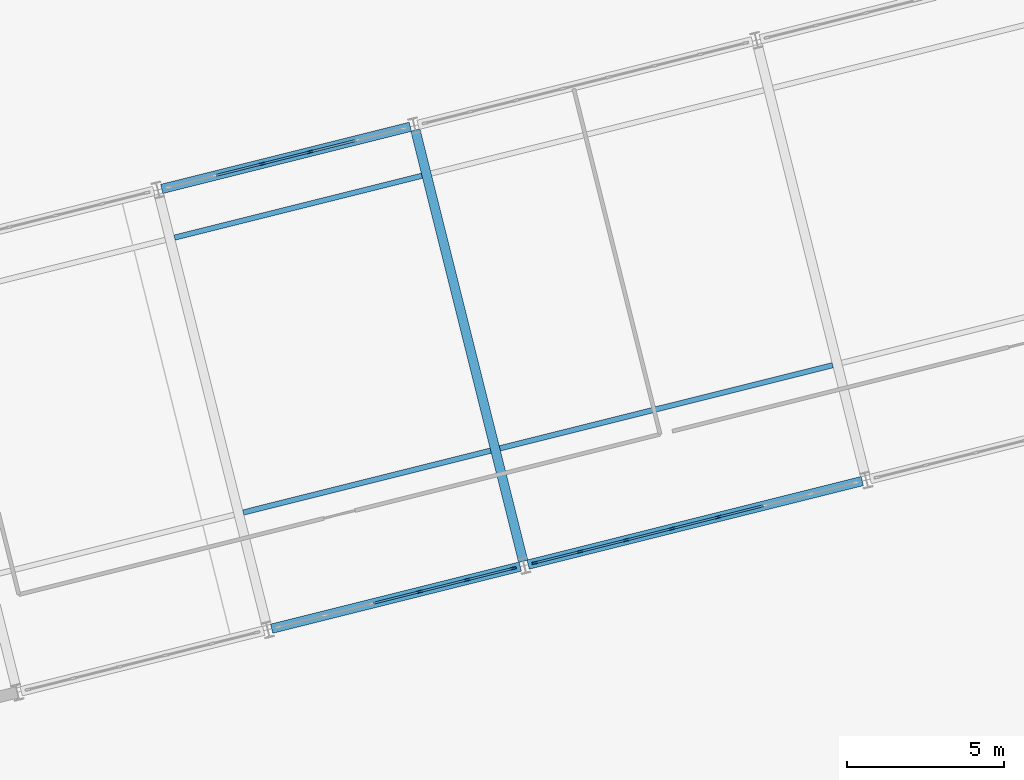
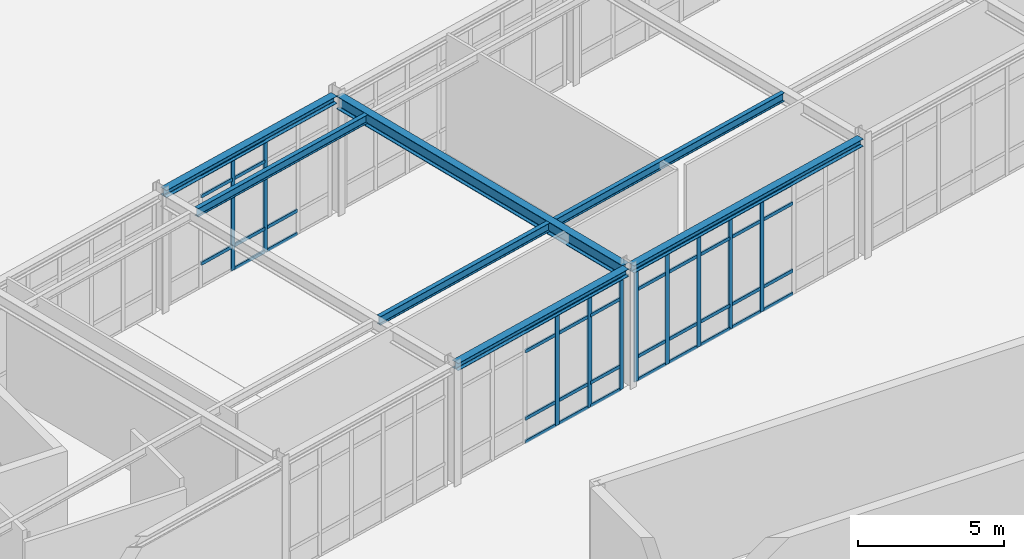
# One storey, part 27 of 109: 51 members, 7 beams, 3 elements without a shape of their own.
"""IFC4 building model written with IfcOpenShell, lengths in metres."""

from ifc_helpers import new_model, si_unit, direction, frame, origin, origin_2d, place, context, subcontext, project, spatial, rectangle, i_section, extrude, material, layer, layer_set, material_profile, profile_set, type_object, element, aggregate, save


model = new_model("IFC4")

# Units and contexts
model_context = context("Model", 3, precision=1e-05, world=origin(), true_north=direction((0.0, 1.0)))
body_context = subcontext(model_context, "Body", "Model", "MODEL_VIEW")
ifc_project = project(units=[si_unit("LENGTHUNIT", "METRE"), si_unit("AREAUNIT", "SQUARE_METRE"), si_unit("VOLUMEUNIT", "CUBIC_METRE"), si_unit("PLANEANGLEUNIT", "RADIAN"), si_unit("MASSUNIT", "GRAM", prefix="KILO")], contexts=[model_context])

# Site, building, storey
site_placement = place(None, origin())
site = spatial("IfcSite", under=ifc_project, at=site_placement, CompositionType="ELEMENT")
building_placement = place(site_placement, origin())
building = spatial("IfcBuilding", under=site, at=building_placement, Name="Nordkorset Police Headquarters", CompositionType="ELEMENT")
storey_placement = place(building_placement, origin())
storey = spatial("IfcBuildingStorey", under=building, at=storey_placement, Name="L00", CompositionType="ELEMENT", Elevation=0.0)

# Beams
ifc_material_1 = material(Name="Steel S355J2", Category="steel")
ifc_material_profile_1 = material_profile(ifc_material_1, i_section(OverallWidth=0.169921875, OverallDepth=0.360107421875, WebThickness=0.008056640625, FlangeThickness=0.0126953125, FilletRadius=0.01806640625, at=origin_2d()), Name="IPE 360")
ifc_profile_set_1 = profile_set([ifc_material_profile_1], Name="Steel S355J2")
beam_type_1 = type_object("IfcBeamType", Name="Beam_IPE_360", PredefinedType="BEAM", material=ifc_profile_set_1)
for number, where, z_axis, x_axis, name in (
    (1, (42.61474609375, 50.670654296875, 4.820068359375), (0.970140727133, 0.242542716974, 0.0), (-0.242542716974, 0.970140727133, 0.0), "Splayed Wing Secondary Beam L00 2-1"),
    (2, (40.431884765625, 59.40185546875, 4.820068359375), (0.970140727133, 0.242542716974, 0.0), (-0.242542716974, 0.970140727133, 0.0), "Splayed Wing Secondary Beam L00 2-2"),
):
    element("IfcBeam", number, at=place(storey_placement, frame(where, z_axis=z_axis, x_axis=x_axis)), inside=storey, type_object=beam_type_1, Name=name, PredefinedType="BEAM", context=body_context, shape_type="SweptSolid", body=[
        extrude(i_section(OverallWidth=0.169921875, OverallDepth=0.360107421875, WebThickness=0.008056640625, FlangeThickness=0.0126953125, FilletRadius=0.01806640625, at=origin_2d()), origin(), (0.0, 0.0, 1.0), 8.10009765625),
    ])
beam_1_placement = place(storey_placement, frame((50.763916015625, 52.7080078125, 4.820068359375), z_axis=(0.970145135142, 0.242525084807, 0.0), x_axis=(-0.242525084807, 0.970145135142, 0.0)))
element("IfcBeam", 3, at=beam_1_placement, inside=storey, type_object=beam_type_1, Name="Splayed Wing Secondary Beam L00 3-1", PredefinedType="BEAM", context=body_context, shape_type="SweptSolid", body=[
    extrude(i_section(OverallWidth=0.169921875, OverallDepth=0.360107421875, WebThickness=0.008056640625, FlangeThickness=0.0126953125, FilletRadius=0.01806640625, at=origin_2d()), origin(), (0.0, 0.0, 1.0), 10.900146484375),
])

# Curtain wall, members
ifc_material_2 = material(Name="Aluminium alloy AW-6060", Category="aluminium")
ifc_layer_1 = layer(ifc_material_2, 0.179931640625, Name="Aluminium alloy AW-6060")
ifc_layer_set_1 = layer_set([ifc_layer_1], Name="Aluminium alloy AW-6060")
curtain_wall_type_1 = type_object("IfcCurtainWallType", Name="CW_Unit_776x467", PredefinedType="USERDEFINED", material=ifc_layer_set_1)
curtain_wall_1_placement = place(storey_placement, origin())
curtain_wall_1 = element("IfcCurtainWall", 4, at=curtain_wall_1_placement, inside=storey, type_object=curtain_wall_type_1, Name="Unitised Curtain Wall L00 V4S-2", ObjectType="UNITISED CURTAIN WALL", PredefinedType="USERDEFINED")
ifc_material_3 = material(Name="Aluminium alloy AW-6060", Category="aluminium")
ifc_material_profile_2 = material_profile(ifc_material_3, rectangle(XDim=0.06494140625, YDim=0.179931640625, at=origin_2d()), Name="ALU MULL 65x180")
ifc_profile_set_2 = profile_set([ifc_material_profile_2], Name="Aluminium alloy AW-6060")
member_type_1 = type_object("IfcMemberType", Name="CW_Mullion_65x180", PredefinedType="MULLION", material=ifc_profile_set_2)
member_1_placement = place(storey_placement, frame((48.21826171875, 48.154541015625, 0.0), z_axis=(0.0, 0.0, 1.0), x_axis=(-0.24253471539, 0.970142727556, 0.0)))
member_1 = element("IfcMember", 5, at=member_1_placement, type_object=member_type_1, Name="CW-99 mullion 4", PredefinedType="MULLION", context=body_context, shape_type="SweptSolid", body=[
    extrude(rectangle(XDim=0.06494140625, YDim=0.179931640625, at=origin_2d()), origin(), (0.0, 0.0, 1.0), 4.669921875),
])
member_2_placement = place(storey_placement, frame((49.723876953125, 48.531005859375, 0.0), z_axis=(0.0, 0.0, 1.0), x_axis=(-0.24253471539, 0.970142727556, 0.0)))
member_2 = element("IfcMember", 6, at=member_2_placement, type_object=member_type_1, Name="CW-99 mullion 5", PredefinedType="MULLION", context=body_context, shape_type="SweptSolid", body=[
    extrude(rectangle(XDim=0.06494140625, YDim=0.179931640625, at=origin_2d()), origin(), (0.0, 0.0, 1.0), 4.669921875),
])
member_3_placement = place(storey_placement, frame((51.1982421875, 48.8994140625, 0.0), z_axis=(0.0, 0.0, 1.0), x_axis=(-0.24253471539, 0.970142727556, 0.0)))
member_3 = element("IfcMember", 7, at=member_3_placement, type_object=member_type_1, Name="CW-99 mullion 6", PredefinedType="MULLION", context=body_context, shape_type="SweptSolid", body=[
    extrude(rectangle(XDim=0.06494140625, YDim=0.179931640625, at=origin_2d()), origin(), (0.0, 0.0, 1.0), 4.669921875),
])

curtain_wall_2_placement = place(storey_placement, origin())
curtain_wall_2 = element("IfcCurtainWall", 8, at=curtain_wall_2_placement, inside=storey, type_object=curtain_wall_type_1, Name="Unitised Curtain Wall L00 V4N-2", ObjectType="UNITISED CURTAIN WALL", PredefinedType="USERDEFINED")
member_4_placement = place(storey_placement, frame((43.22021484375, 61.748291015625, 0.0), z_axis=(0.0, 0.0, 1.0), x_axis=(-0.242535928242, 0.970142424344, 0.0)))
member_4 = element("IfcMember", 9, at=member_4_placement, type_object=member_type_1, Name="CW-99 mullion 3", PredefinedType="MULLION", context=body_context, shape_type="SweptSolid", body=[
    extrude(rectangle(XDim=0.06494140625, YDim=0.179931640625, at=origin_2d()), origin(), (0.0, 0.0, 1.0), 4.669921875),
])
member_5_placement = place(storey_placement, frame((44.725830078125, 62.124755859375, 0.0), z_axis=(0.0, 0.0, 1.0), x_axis=(-0.242535928242, 0.970142424344, 0.0)))
member_5 = element("IfcMember", 10, at=member_5_placement, type_object=member_type_1, Name="CW-99 mullion 4", PredefinedType="MULLION", context=body_context, shape_type="SweptSolid", body=[
    extrude(rectangle(XDim=0.06494140625, YDim=0.179931640625, at=origin_2d()), origin(), (0.0, 0.0, 1.0), 4.669921875),
])

ifc_material_4 = material(Name="Aluminium alloy AW-6060", Category="aluminium")
ifc_layer_2 = layer(ifc_material_4, 0.179931640625, Name="Aluminium alloy AW-6060")
ifc_layer_set_2 = layer_set([ifc_layer_2], Name="Aluminium alloy AW-6060")
curtain_wall_type_2 = type_object("IfcCurtainWallType", Name="CW_Unit_1056x467", PredefinedType="USERDEFINED", material=ifc_layer_set_2)
curtain_wall_3_placement = place(storey_placement, origin())
curtain_wall_3 = element("IfcCurtainWall", 11, at=curtain_wall_3_placement, inside=storey, type_object=curtain_wall_type_2, Name="Unitised Curtain Wall L00 V4S-3", ObjectType="UNITISED CURTAIN WALL", PredefinedType="USERDEFINED")
member_6_placement = place(storey_placement, frame((51.882080078125, 49.070556640625, 0.0), z_axis=(0.0, 0.0, 1.0), x_axis=(-0.242535179399, 0.970142611554, 0.0)))
member_6 = element("IfcMember", 12, at=member_6_placement, type_object=member_type_1, Name="CW-18 mullion 1", PredefinedType="MULLION", context=body_context, shape_type="SweptSolid", body=[
    extrude(rectangle(XDim=0.06494140625, YDim=0.179931640625, at=origin_2d()), origin(), (0.0, 0.0, 1.0), 4.669921875),
])
member_7_placement = place(storey_placement, frame((53.31396484375, 49.428466796875, 0.0), z_axis=(0.0, 0.0, 1.0), x_axis=(-0.242535179399, 0.970142611554, 0.0)))
member_7 = element("IfcMember", 13, at=member_7_placement, type_object=member_type_1, Name="CW-18 mullion 2", PredefinedType="MULLION", context=body_context, shape_type="SweptSolid", body=[
    extrude(rectangle(XDim=0.06494140625, YDim=0.179931640625, at=origin_2d()), origin(), (0.0, 0.0, 1.0), 4.669921875),
])
member_8_placement = place(storey_placement, frame((54.777587890625, 49.79443359375, 0.0), z_axis=(0.0, 0.0, 1.0), x_axis=(-0.242535179399, 0.970142611554, 0.0)))
member_8 = element("IfcMember", 14, at=member_8_placement, type_object=member_type_1, Name="CW-18 mullion 3", PredefinedType="MULLION", context=body_context, shape_type="SweptSolid", body=[
    extrude(rectangle(XDim=0.06494140625, YDim=0.179931640625, at=origin_2d()), origin(), (0.0, 0.0, 1.0), 4.669921875),
])
member_9_placement = place(storey_placement, frame((56.2412109375, 50.160400390625, 0.0), z_axis=(0.0, 0.0, 1.0), x_axis=(-0.242535179399, 0.970142611554, 0.0)))
member_9 = element("IfcMember", 15, at=member_9_placement, type_object=member_type_1, Name="CW-18 mullion 4", PredefinedType="MULLION", context=body_context, shape_type="SweptSolid", body=[
    extrude(rectangle(XDim=0.06494140625, YDim=0.179931640625, at=origin_2d()), origin(), (0.0, 0.0, 1.0), 4.669921875),
])
member_10_placement = place(storey_placement, frame((57.70458984375, 50.526123046875, 0.0), z_axis=(0.0, 0.0, 1.0), x_axis=(-0.242535179399, 0.970142611554, 0.0)))
member_10 = element("IfcMember", 16, at=member_10_placement, type_object=member_type_1, Name="CW-18 mullion 5", PredefinedType="MULLION", context=body_context, shape_type="SweptSolid", body=[
    extrude(rectangle(XDim=0.06494140625, YDim=0.179931640625, at=origin_2d()), origin(), (0.0, 0.0, 1.0), 4.669921875),
])

# Member
ifc_material_5 = material(Name="Aluminium alloy AW-6060", Category="aluminium")
ifc_material_profile_3 = material_profile(ifc_material_5, rectangle(XDim=0.06494140625, YDim=0.139892578125, at=origin_2d()), Name="ALU TRAN 65x140")
ifc_profile_set_3 = profile_set([ifc_material_profile_3], Name="Aluminium alloy AW-6060")
member_type_2 = type_object("IfcMemberType", Name="CW_Transom_65x140", PredefinedType="USERDEFINED", material=ifc_profile_set_3)
member_11_placement = place(storey_placement, frame((46.744140625, 47.7861328125, 0.032470703125), z_axis=(0.970152157148, 0.242496993757, 0.0), x_axis=(-0.242496993757, 0.970152157148, 0.0)))
member_11 = element("IfcMember", 17, at=member_11_placement, type_object=member_type_2, Name="CW-99 transom 3.1", ObjectType="TRANSOM", PredefinedType="USERDEFINED", context=body_context, shape_type="SweptSolid", body=[
    extrude(rectangle(XDim=0.06494140625, YDim=0.139892578125, at=origin_2d()), origin(), (0.0, 0.0, 1.0), 1.487060546875),
])

member_12_placement = place(storey_placement, frame((46.744140625, 47.7861328125, 1.0), z_axis=(0.970152157148, 0.242496993757, 0.0), x_axis=(-0.242496993757, 0.970152157148, 0.0)))
member_12 = element("IfcMember", 18, at=member_12_placement, type_object=member_type_2, Name="CW-99 transom 3.2", ObjectType="TRANSOM", PredefinedType="USERDEFINED", context=body_context, shape_type="SweptSolid", body=[
    extrude(rectangle(XDim=0.06494140625, YDim=0.139892578125, at=origin_2d()), origin(), (0.0, 0.0, 1.0), 1.487060546875),
])

member_13_placement = place(storey_placement, frame((46.744140625, 47.7861328125, 3.820068359375), z_axis=(0.970152157148, 0.242496993757, 0.0), x_axis=(-0.242496993757, 0.970152157148, 0.0)))
member_13 = element("IfcMember", 19, at=member_13_placement, type_object=member_type_2, Name="CW-99 transom 3.3", ObjectType="TRANSOM", PredefinedType="USERDEFINED", context=body_context, shape_type="SweptSolid", body=[
    extrude(rectangle(XDim=0.06494140625, YDim=0.139892578125, at=origin_2d()), origin(), (0.0, 0.0, 1.0), 1.487060546875),
])

member_14_placement = place(storey_placement, frame((46.744140625, 47.7861328125, 4.637451171875), z_axis=(0.970152157148, 0.242496993757, 0.0), x_axis=(-0.242496993757, 0.970152157148, 0.0)))
member_14 = element("IfcMember", 20, at=member_14_placement, type_object=member_type_2, Name="CW-99 transom 3.4", ObjectType="TRANSOM", PredefinedType="USERDEFINED", context=body_context, shape_type="SweptSolid", body=[
    extrude(rectangle(XDim=0.06494140625, YDim=0.139892578125, at=origin_2d()), origin(), (0.0, 0.0, 1.0), 1.487060546875),
])

member_15_placement = place(storey_placement, frame((48.249755859375, 48.162353515625, 0.032470703125), z_axis=(0.970113521062, 0.242651511953, 0.0), x_axis=(-0.242651511953, 0.970113521062, 0.0)))
member_15 = element("IfcMember", 21, at=member_15_placement, type_object=member_type_2, Name="CW-99 transom 4.1", ObjectType="TRANSOM", PredefinedType="USERDEFINED", context=body_context, shape_type="SweptSolid", body=[
    extrude(rectangle(XDim=0.06494140625, YDim=0.139892578125, at=origin_2d()), origin(), (0.0, 0.0, 1.0), 1.487060546875),
])

member_16_placement = place(storey_placement, frame((48.249755859375, 48.162353515625, 1.0), z_axis=(0.970113521062, 0.242651511953, 0.0), x_axis=(-0.242651511953, 0.970113521062, 0.0)))
member_16 = element("IfcMember", 22, at=member_16_placement, type_object=member_type_2, Name="CW-99 transom 4.2", ObjectType="TRANSOM", PredefinedType="USERDEFINED", context=body_context, shape_type="SweptSolid", body=[
    extrude(rectangle(XDim=0.06494140625, YDim=0.139892578125, at=origin_2d()), origin(), (0.0, 0.0, 1.0), 1.487060546875),
])

member_17_placement = place(storey_placement, frame((48.249755859375, 48.162353515625, 3.820068359375), z_axis=(0.970113521062, 0.242651511953, 0.0), x_axis=(-0.242651511953, 0.970113521062, 0.0)))
member_17 = element("IfcMember", 23, at=member_17_placement, type_object=member_type_2, Name="CW-99 transom 4.3", ObjectType="TRANSOM", PredefinedType="USERDEFINED", context=body_context, shape_type="SweptSolid", body=[
    extrude(rectangle(XDim=0.06494140625, YDim=0.139892578125, at=origin_2d()), origin(), (0.0, 0.0, 1.0), 1.487060546875),
])

member_18_placement = place(storey_placement, frame((48.249755859375, 48.162353515625, 4.637451171875), z_axis=(0.970113521062, 0.242651511953, 0.0), x_axis=(-0.242651511953, 0.970113521062, 0.0)))
member_18 = element("IfcMember", 24, at=member_18_placement, type_object=member_type_2, Name="CW-99 transom 4.4", ObjectType="TRANSOM", PredefinedType="USERDEFINED", context=body_context, shape_type="SweptSolid", body=[
    extrude(rectangle(XDim=0.06494140625, YDim=0.139892578125, at=origin_2d()), origin(), (0.0, 0.0, 1.0), 1.487060546875),
])

member_19_placement = place(storey_placement, frame((49.755615234375, 48.538818359375, 0.032470703125), z_axis=(0.970132624514, 0.242575124143, 0.0), x_axis=(-0.242575124143, 0.970132624514, 0.0)))
member_19 = element("IfcMember", 25, at=member_19_placement, type_object=member_type_2, Name="CW-99 transom 5.1", ObjectType="TRANSOM", PredefinedType="USERDEFINED", context=body_context, shape_type="SweptSolid", body=[
    extrude(rectangle(XDim=0.06494140625, YDim=0.139892578125, at=origin_2d()), origin(), (0.0, 0.0, 1.0), 1.454345703125),
])

member_20_placement = place(storey_placement, frame((49.755615234375, 48.538818359375, 1.0), z_axis=(0.970132624514, 0.242575124143, 0.0), x_axis=(-0.242575124143, 0.970132624514, 0.0)))
member_20 = element("IfcMember", 26, at=member_20_placement, type_object=member_type_2, Name="CW-99 transom 5.2", ObjectType="TRANSOM", PredefinedType="USERDEFINED", context=body_context, shape_type="SweptSolid", body=[
    extrude(rectangle(XDim=0.06494140625, YDim=0.139892578125, at=origin_2d()), origin(), (0.0, 0.0, 1.0), 1.454345703125),
])

member_21_placement = place(storey_placement, frame((49.755615234375, 48.538818359375, 3.820068359375), z_axis=(0.970132624514, 0.242575124143, 0.0), x_axis=(-0.242575124143, 0.970132624514, 0.0)))
member_21 = element("IfcMember", 27, at=member_21_placement, type_object=member_type_2, Name="CW-99 transom 5.3", ObjectType="TRANSOM", PredefinedType="USERDEFINED", context=body_context, shape_type="SweptSolid", body=[
    extrude(rectangle(XDim=0.06494140625, YDim=0.139892578125, at=origin_2d()), origin(), (0.0, 0.0, 1.0), 1.454345703125),
])

member_22_placement = place(storey_placement, frame((49.755615234375, 48.538818359375, 4.637451171875), z_axis=(0.970132624514, 0.242575124143, 0.0), x_axis=(-0.242575124143, 0.970132624514, 0.0)))
member_22 = element("IfcMember", 28, at=member_22_placement, type_object=member_type_2, Name="CW-99 transom 5.4", ObjectType="TRANSOM", PredefinedType="USERDEFINED", context=body_context, shape_type="SweptSolid", body=[
    extrude(rectangle(XDim=0.06494140625, YDim=0.139892578125, at=origin_2d()), origin(), (0.0, 0.0, 1.0), 1.454345703125),
])

aggregate(curtain_wall_1, [member_1, member_2, member_3, member_11, member_12, member_13, member_14, member_15, member_16, member_17, member_18, member_19, member_20, member_21, member_22])

member_23_placement = place(storey_placement, frame((41.74609375, 61.379638671875, 1.0), z_axis=(0.970152157148, 0.242496993757, 0.0), x_axis=(-0.242496993757, 0.970152157148, 0.0)))
member_23 = element("IfcMember", 29, at=member_23_placement, type_object=member_type_2, Name="CW-99 transom 2.2", ObjectType="TRANSOM", PredefinedType="USERDEFINED", context=body_context, shape_type="SweptSolid", body=[
    extrude(rectangle(XDim=0.06494140625, YDim=0.139892578125, at=origin_2d()), origin(), (0.0, 0.0, 1.0), 1.487060546875),
])

member_24_placement = place(storey_placement, frame((41.74609375, 61.379638671875, 3.820068359375), z_axis=(0.970152157148, 0.242496993757, 0.0), x_axis=(-0.242496993757, 0.970152157148, 0.0)))
member_24 = element("IfcMember", 30, at=member_24_placement, type_object=member_type_2, Name="CW-99 transom 2.3", ObjectType="TRANSOM", PredefinedType="USERDEFINED", context=body_context, shape_type="SweptSolid", body=[
    extrude(rectangle(XDim=0.06494140625, YDim=0.139892578125, at=origin_2d()), origin(), (0.0, 0.0, 1.0), 1.487060546875),
])

member_25_placement = place(storey_placement, frame((41.74609375, 61.379638671875, 4.637451171875), z_axis=(0.970152157148, 0.242496993757, 0.0), x_axis=(-0.242496993757, 0.970152157148, 0.0)))
member_25 = element("IfcMember", 31, at=member_25_placement, type_object=member_type_2, Name="CW-99 transom 2.4", ObjectType="TRANSOM", PredefinedType="USERDEFINED", context=body_context, shape_type="SweptSolid", body=[
    extrude(rectangle(XDim=0.06494140625, YDim=0.139892578125, at=origin_2d()), origin(), (0.0, 0.0, 1.0), 1.487060546875),
])

member_26_placement = place(storey_placement, frame((43.251708984375, 61.756103515625, 0.032470703125), z_axis=(0.970152157148, 0.242496993757, 0.0), x_axis=(-0.242496993757, 0.970152157148, 0.0)))
member_26 = element("IfcMember", 32, at=member_26_placement, type_object=member_type_2, Name="CW-99 transom 3.1", ObjectType="TRANSOM", PredefinedType="USERDEFINED", context=body_context, shape_type="SweptSolid", body=[
    extrude(rectangle(XDim=0.06494140625, YDim=0.139892578125, at=origin_2d()), origin(), (0.0, 0.0, 1.0), 1.487060546875),
])

member_27_placement = place(storey_placement, frame((43.251708984375, 61.756103515625, 1.0), z_axis=(0.970152157148, 0.242496993757, 0.0), x_axis=(-0.242496993757, 0.970152157148, 0.0)))
member_27 = element("IfcMember", 33, at=member_27_placement, type_object=member_type_2, Name="CW-99 transom 3.2", ObjectType="TRANSOM", PredefinedType="USERDEFINED", context=body_context, shape_type="SweptSolid", body=[
    extrude(rectangle(XDim=0.06494140625, YDim=0.139892578125, at=origin_2d()), origin(), (0.0, 0.0, 1.0), 1.487060546875),
])

member_28_placement = place(storey_placement, frame((43.251708984375, 61.756103515625, 3.820068359375), z_axis=(0.970152157148, 0.242496993757, 0.0), x_axis=(-0.242496993757, 0.970152157148, 0.0)))
member_28 = element("IfcMember", 34, at=member_28_placement, type_object=member_type_2, Name="CW-99 transom 3.3", ObjectType="TRANSOM", PredefinedType="USERDEFINED", context=body_context, shape_type="SweptSolid", body=[
    extrude(rectangle(XDim=0.06494140625, YDim=0.139892578125, at=origin_2d()), origin(), (0.0, 0.0, 1.0), 1.487060546875),
])

member_29_placement = place(storey_placement, frame((43.251708984375, 61.756103515625, 4.637451171875), z_axis=(0.970152157148, 0.242496993757, 0.0), x_axis=(-0.242496993757, 0.970152157148, 0.0)))
member_29 = element("IfcMember", 35, at=member_29_placement, type_object=member_type_2, Name="CW-99 transom 3.4", ObjectType="TRANSOM", PredefinedType="USERDEFINED", context=body_context, shape_type="SweptSolid", body=[
    extrude(rectangle(XDim=0.06494140625, YDim=0.139892578125, at=origin_2d()), origin(), (0.0, 0.0, 1.0), 1.487060546875),
])

member_30_placement = place(storey_placement, frame((44.75732421875, 62.132568359375, 0.032470703125), z_axis=(0.970152157148, 0.242496993757, 0.0), x_axis=(-0.242496993757, 0.970152157148, 0.0)))
member_30 = element("IfcMember", 36, at=member_30_placement, type_object=member_type_2, Name="CW-99 transom 4.1", ObjectType="TRANSOM", PredefinedType="USERDEFINED", context=body_context, shape_type="SweptSolid", body=[
    extrude(rectangle(XDim=0.06494140625, YDim=0.139892578125, at=origin_2d()), origin(), (0.0, 0.0, 1.0), 1.487060546875),
])

member_31_placement = place(storey_placement, frame((44.75732421875, 62.132568359375, 1.0), z_axis=(0.970152157148, 0.242496993757, 0.0), x_axis=(-0.242496993757, 0.970152157148, 0.0)))
member_31 = element("IfcMember", 37, at=member_31_placement, type_object=member_type_2, Name="CW-99 transom 4.2", ObjectType="TRANSOM", PredefinedType="USERDEFINED", context=body_context, shape_type="SweptSolid", body=[
    extrude(rectangle(XDim=0.06494140625, YDim=0.139892578125, at=origin_2d()), origin(), (0.0, 0.0, 1.0), 1.487060546875),
])

aggregate(curtain_wall_2, [member_4, member_5, member_23, member_24, member_25, member_26, member_27, member_28, member_29, member_30, member_31])

member_32_placement = place(storey_placement, frame((51.91357421875, 49.078369140625, 0.032470703125), z_axis=(0.970132321548, 0.242576335796, 0.0), x_axis=(-0.242576335796, 0.970132321548, 0.0)))
member_32 = element("IfcMember", 38, at=member_32_placement, type_object=member_type_2, Name="CW-18 transom 1.1", ObjectType="TRANSOM", PredefinedType="USERDEFINED", context=body_context, shape_type="SweptSolid", body=[
    extrude(rectangle(XDim=0.06494140625, YDim=0.139892578125, at=origin_2d()), origin(), (0.0, 0.0, 1.0), 1.4111328125),
])

member_33_placement = place(storey_placement, frame((51.91357421875, 49.078369140625, 1.0), z_axis=(0.970132321548, 0.242576335796, 0.0), x_axis=(-0.242576335796, 0.970132321548, 0.0)))
member_33 = element("IfcMember", 39, at=member_33_placement, type_object=member_type_2, Name="CW-18 transom 1.2", ObjectType="TRANSOM", PredefinedType="USERDEFINED", context=body_context, shape_type="SweptSolid", body=[
    extrude(rectangle(XDim=0.06494140625, YDim=0.139892578125, at=origin_2d()), origin(), (0.0, 0.0, 1.0), 1.4111328125),
])

member_34_placement = place(storey_placement, frame((51.91357421875, 49.078369140625, 3.820068359375), z_axis=(0.970132321548, 0.242576335796, 0.0), x_axis=(-0.242576335796, 0.970132321548, 0.0)))
member_34 = element("IfcMember", 40, at=member_34_placement, type_object=member_type_2, Name="CW-18 transom 1.3", ObjectType="TRANSOM", PredefinedType="USERDEFINED", context=body_context, shape_type="SweptSolid", body=[
    extrude(rectangle(XDim=0.06494140625, YDim=0.139892578125, at=origin_2d()), origin(), (0.0, 0.0, 1.0), 1.4111328125),
])

member_35_placement = place(storey_placement, frame((51.91357421875, 49.078369140625, 4.637451171875), z_axis=(0.970132321548, 0.242576335796, 0.0), x_axis=(-0.242576335796, 0.970132321548, 0.0)))
member_35 = element("IfcMember", 41, at=member_35_placement, type_object=member_type_2, Name="CW-18 transom 1.4", ObjectType="TRANSOM", PredefinedType="USERDEFINED", context=body_context, shape_type="SweptSolid", body=[
    extrude(rectangle(XDim=0.06494140625, YDim=0.139892578125, at=origin_2d()), origin(), (0.0, 0.0, 1.0), 1.4111328125),
])

member_36_placement = place(storey_placement, frame((53.345703125, 49.4365234375, 0.032470703125), z_axis=(0.970142500145, 0.242535625036, 0.0), x_axis=(-0.242535625036, 0.970142500145, 0.0)))
member_36 = element("IfcMember", 42, at=member_36_placement, type_object=member_type_2, Name="CW-18 transom 2.1", ObjectType="TRANSOM", PredefinedType="USERDEFINED", context=body_context, shape_type="SweptSolid", body=[
    extrude(rectangle(XDim=0.06494140625, YDim=0.139892578125, at=origin_2d()), origin(), (0.0, 0.0, 1.0), 1.443603515625),
])

member_37_placement = place(storey_placement, frame((53.345703125, 49.4365234375, 1.0), z_axis=(0.970142500145, 0.242535625036, 0.0), x_axis=(-0.242535625036, 0.970142500145, 0.0)))
member_37 = element("IfcMember", 43, at=member_37_placement, type_object=member_type_2, Name="CW-18 transom 2.2", ObjectType="TRANSOM", PredefinedType="USERDEFINED", context=body_context, shape_type="SweptSolid", body=[
    extrude(rectangle(XDim=0.06494140625, YDim=0.139892578125, at=origin_2d()), origin(), (0.0, 0.0, 1.0), 1.443603515625),
])

member_38_placement = place(storey_placement, frame((53.345703125, 49.4365234375, 3.820068359375), z_axis=(0.970142500145, 0.242535625036, 0.0), x_axis=(-0.242535625036, 0.970142500145, 0.0)))
member_38 = element("IfcMember", 44, at=member_38_placement, type_object=member_type_2, Name="CW-18 transom 2.3", ObjectType="TRANSOM", PredefinedType="USERDEFINED", context=body_context, shape_type="SweptSolid", body=[
    extrude(rectangle(XDim=0.06494140625, YDim=0.139892578125, at=origin_2d()), origin(), (0.0, 0.0, 1.0), 1.443603515625),
])

member_39_placement = place(storey_placement, frame((53.345703125, 49.4365234375, 4.637451171875), z_axis=(0.970142500145, 0.242535625036, 0.0), x_axis=(-0.242535625036, 0.970142500145, 0.0)))
member_39 = element("IfcMember", 45, at=member_39_placement, type_object=member_type_2, Name="CW-18 transom 2.4", ObjectType="TRANSOM", PredefinedType="USERDEFINED", context=body_context, shape_type="SweptSolid", body=[
    extrude(rectangle(XDim=0.06494140625, YDim=0.139892578125, at=origin_2d()), origin(), (0.0, 0.0, 1.0), 1.443603515625),
])

member_40_placement = place(storey_placement, frame((54.80908203125, 49.80224609375, 0.032470703125), z_axis=(0.970152446652, 0.242495835541, 0.0), x_axis=(-0.242495835541, 0.970152446652, 0.0)))
member_40 = element("IfcMember", 46, at=member_40_placement, type_object=member_type_2, Name="CW-18 transom 3.1", ObjectType="TRANSOM", PredefinedType="USERDEFINED", context=body_context, shape_type="SweptSolid", body=[
    extrude(rectangle(XDim=0.06494140625, YDim=0.139892578125, at=origin_2d()), origin(), (0.0, 0.0, 1.0), 1.44384765625),
])

member_41_placement = place(storey_placement, frame((54.80908203125, 49.80224609375, 1.0), z_axis=(0.970152446652, 0.242495835541, 0.0), x_axis=(-0.242495835541, 0.970152446652, 0.0)))
member_41 = element("IfcMember", 47, at=member_41_placement, type_object=member_type_2, Name="CW-18 transom 3.2", ObjectType="TRANSOM", PredefinedType="USERDEFINED", context=body_context, shape_type="SweptSolid", body=[
    extrude(rectangle(XDim=0.06494140625, YDim=0.139892578125, at=origin_2d()), origin(), (0.0, 0.0, 1.0), 1.44384765625),
])

member_42_placement = place(storey_placement, frame((54.80908203125, 49.80224609375, 3.820068359375), z_axis=(0.970152446652, 0.242495835541, 0.0), x_axis=(-0.242495835541, 0.970152446652, 0.0)))
member_42 = element("IfcMember", 48, at=member_42_placement, type_object=member_type_2, Name="CW-18 transom 3.3", ObjectType="TRANSOM", PredefinedType="USERDEFINED", context=body_context, shape_type="SweptSolid", body=[
    extrude(rectangle(XDim=0.06494140625, YDim=0.139892578125, at=origin_2d()), origin(), (0.0, 0.0, 1.0), 1.44384765625),
])

member_43_placement = place(storey_placement, frame((54.80908203125, 49.80224609375, 4.637451171875), z_axis=(0.970152446652, 0.242495835541, 0.0), x_axis=(-0.242495835541, 0.970152446652, 0.0)))
member_43 = element("IfcMember", 49, at=member_43_placement, type_object=member_type_2, Name="CW-18 transom 3.4", ObjectType="TRANSOM", PredefinedType="USERDEFINED", context=body_context, shape_type="SweptSolid", body=[
    extrude(rectangle(XDim=0.06494140625, YDim=0.139892578125, at=origin_2d()), origin(), (0.0, 0.0, 1.0), 1.44384765625),
])

member_44_placement = place(storey_placement, frame((56.272705078125, 50.168212890625, 0.032470703125), z_axis=(0.970142500145, 0.242535625036, 0.0), x_axis=(-0.242535625036, 0.970142500145, 0.0)))
member_44 = element("IfcMember", 50, at=member_44_placement, type_object=member_type_2, Name="CW-18 transom 4.1", ObjectType="TRANSOM", PredefinedType="USERDEFINED", context=body_context, shape_type="SweptSolid", body=[
    extrude(rectangle(XDim=0.06494140625, YDim=0.139892578125, at=origin_2d()), origin(), (0.0, 0.0, 1.0), 1.443603515625),
])

member_45_placement = place(storey_placement, frame((56.272705078125, 50.168212890625, 1.0), z_axis=(0.970142500145, 0.242535625036, 0.0), x_axis=(-0.242535625036, 0.970142500145, 0.0)))
member_45 = element("IfcMember", 51, at=member_45_placement, type_object=member_type_2, Name="CW-18 transom 4.2", ObjectType="TRANSOM", PredefinedType="USERDEFINED", context=body_context, shape_type="SweptSolid", body=[
    extrude(rectangle(XDim=0.06494140625, YDim=0.139892578125, at=origin_2d()), origin(), (0.0, 0.0, 1.0), 1.443603515625),
])

member_46_placement = place(storey_placement, frame((56.272705078125, 50.168212890625, 3.820068359375), z_axis=(0.970142500145, 0.242535625036, 0.0), x_axis=(-0.242535625036, 0.970142500145, 0.0)))
member_46 = element("IfcMember", 52, at=member_46_placement, type_object=member_type_2, Name="CW-18 transom 4.3", ObjectType="TRANSOM", PredefinedType="USERDEFINED", context=body_context, shape_type="SweptSolid", body=[
    extrude(rectangle(XDim=0.06494140625, YDim=0.139892578125, at=origin_2d()), origin(), (0.0, 0.0, 1.0), 1.443603515625),
])

member_47_placement = place(storey_placement, frame((56.272705078125, 50.168212890625, 4.637451171875), z_axis=(0.970142500145, 0.242535625036, 0.0), x_axis=(-0.242535625036, 0.970142500145, 0.0)))
member_47 = element("IfcMember", 53, at=member_47_placement, type_object=member_type_2, Name="CW-18 transom 4.4", ObjectType="TRANSOM", PredefinedType="USERDEFINED", context=body_context, shape_type="SweptSolid", body=[
    extrude(rectangle(XDim=0.06494140625, YDim=0.139892578125, at=origin_2d()), origin(), (0.0, 0.0, 1.0), 1.443603515625),
])

member_48_placement = place(storey_placement, frame((57.736083984375, 50.533935546875, 0.032470703125), z_axis=(0.970112652058, 0.242654986178, 0.0), x_axis=(-0.242654986178, 0.970112652058, 0.0)))
member_48 = element("IfcMember", 54, at=member_48_placement, type_object=member_type_2, Name="CW-18 transom 5.1", ObjectType="TRANSOM", PredefinedType="USERDEFINED", context=body_context, shape_type="SweptSolid", body=[
    extrude(rectangle(XDim=0.06494140625, YDim=0.139892578125, at=origin_2d()), origin(), (0.0, 0.0, 1.0), 1.44384765625),
])

member_49_placement = place(storey_placement, frame((57.736083984375, 50.533935546875, 1.0), z_axis=(0.970112652058, 0.242654986178, 0.0), x_axis=(-0.242654986178, 0.970112652058, 0.0)))
member_49 = element("IfcMember", 55, at=member_49_placement, type_object=member_type_2, Name="CW-18 transom 5.2", ObjectType="TRANSOM", PredefinedType="USERDEFINED", context=body_context, shape_type="SweptSolid", body=[
    extrude(rectangle(XDim=0.06494140625, YDim=0.139892578125, at=origin_2d()), origin(), (0.0, 0.0, 1.0), 1.44384765625),
])

member_50_placement = place(storey_placement, frame((57.736083984375, 50.533935546875, 3.820068359375), z_axis=(0.970112652058, 0.242654986178, 0.0), x_axis=(-0.242654986178, 0.970112652058, 0.0)))
member_50 = element("IfcMember", 56, at=member_50_placement, type_object=member_type_2, Name="CW-18 transom 5.3", ObjectType="TRANSOM", PredefinedType="USERDEFINED", context=body_context, shape_type="SweptSolid", body=[
    extrude(rectangle(XDim=0.06494140625, YDim=0.139892578125, at=origin_2d()), origin(), (0.0, 0.0, 1.0), 1.44384765625),
])

member_51_placement = place(storey_placement, frame((57.736083984375, 50.533935546875, 4.637451171875), z_axis=(0.970112652058, 0.242654986178, 0.0), x_axis=(-0.242654986178, 0.970112652058, 0.0)))
member_51 = element("IfcMember", 57, at=member_51_placement, type_object=member_type_2, Name="CW-18 transom 5.4", ObjectType="TRANSOM", PredefinedType="USERDEFINED", context=body_context, shape_type="SweptSolid", body=[
    extrude(rectangle(XDim=0.06494140625, YDim=0.139892578125, at=origin_2d()), origin(), (0.0, 0.0, 1.0), 1.44384765625),
])

aggregate(curtain_wall_3, [member_6, member_7, member_8, member_9, member_10, member_32, member_33, member_34, member_35, member_36, member_37, member_38, member_39, member_40, member_41, member_42, member_43, member_44, member_45, member_46, member_47, member_48, member_49, member_50, member_51])

# Beams
ifc_material_6 = material(Name="Steel S355J2", Category="steel")
ifc_material_profile_4 = material_profile(ifc_material_6, i_section(OverallWidth=0.300048828125, OverallDepth=0.5400390625, WebThickness=0.012451171875, FlangeThickness=0.02392578125, FilletRadius=0.027099609375, at=origin_2d()), Name="HEA 550")
ifc_profile_set_4 = profile_set([ifc_material_profile_4], Name="Steel S355J2")
beam_type_2 = type_object("IfcBeamType", Name="Girder_HEA_550", PredefinedType="USERDEFINED", material=ifc_profile_set_4)
beam_2_placement = place(storey_placement, frame((51.506103515625, 49.120849609375, 4.72998046875), z_axis=(-0.24253155672, 0.970143517215, 0.0), x_axis=(-0.970143517215, -0.24253155672, 0.0)))
element("IfcBeam", 58, at=beam_2_placement, inside=storey, type_object=beam_type_2, Name="Splayed Wing Transverse Girder L00 3", ObjectType="GIRDER", PredefinedType="USERDEFINED", context=body_context, shape_type="SweptSolid", body=[
    extrude(i_section(OverallWidth=0.300048828125, OverallDepth=0.5400390625, WebThickness=0.012451171875, FlangeThickness=0.02392578125, FilletRadius=0.027099609375, at=origin_2d()), origin(), (0.0, 0.0, 1.0), 14.1201171875),
])
ifc_material_7 = material(Name="Steel S355J2", Category="steel")
ifc_material_profile_5 = material_profile(ifc_material_7, i_section(OverallWidth=0.300048828125, OverallDepth=0.31005859375, WebThickness=0.009033203125, FlangeThickness=0.015380859375, FilletRadius=0.027099609375, at=origin_2d()), Name="HEA 320")
ifc_profile_set_5 = profile_set([ifc_material_profile_5], Name="Steel S355J2")
beam_type_3 = type_object("IfcBeamType", Name="Spandrel_HEA_320", PredefinedType="SPANDREL", material=ifc_profile_set_5)
for number, where, z_axis, x_axis, name in (
    (59, (43.51708984375, 46.979248046875, 4.844970703125), (0.970138971508, 0.242549739151, 0.0), (-0.242549739151, 0.970138971508, 0.0), "Splayed Wing Spandrel L00 2-0"),
    (60, (40.0244140625, 60.94921875, 4.844970703125), (0.970138971508, 0.242549739151, 0.0), (-0.242549739151, 0.970138971508, 0.0), "Splayed Wing Spandrel L00 2-1"),
):
    element("IfcBeam", number, at=place(storey_placement, frame(where, z_axis=z_axis, x_axis=x_axis)), inside=storey, type_object=beam_type_3, Name=name, PredefinedType="SPANDREL", context=body_context, shape_type="SweptSolid", body=[
        extrude(i_section(OverallWidth=0.300048828125, OverallDepth=0.31005859375, WebThickness=0.009033203125, FlangeThickness=0.015380859375, FilletRadius=0.027099609375, at=origin_2d()), origin(), (0.0, 0.0, 1.0), 8.14013671875),
    ])
beam_3_placement = place(storey_placement, frame((51.666259765625, 49.0166015625, 4.844970703125), z_axis=(0.970142500145, 0.242535625036, 0.0), x_axis=(-0.242535625036, 0.970142500145, 0.0)))
element("IfcBeam", 61, at=beam_3_placement, inside=storey, type_object=beam_type_3, Name="Splayed Wing Spandrel L00 3-0", PredefinedType="SPANDREL", context=body_context, shape_type="SweptSolid", body=[
    extrude(i_section(OverallWidth=0.300048828125, OverallDepth=0.31005859375, WebThickness=0.009033203125, FlangeThickness=0.015380859375, FilletRadius=0.027099609375, at=origin_2d()), origin(), (0.0, 0.0, 1.0), 10.93994140625),
])

save(model, "model.ifc")
